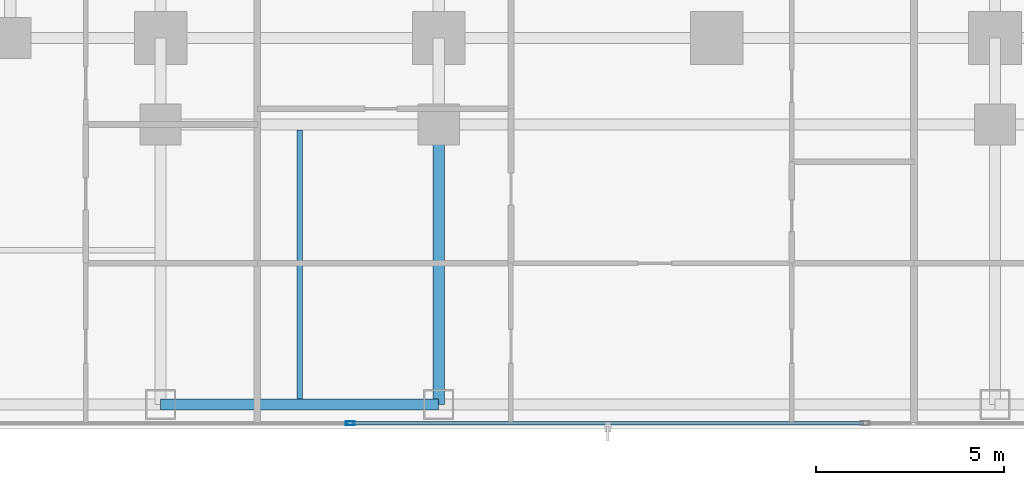
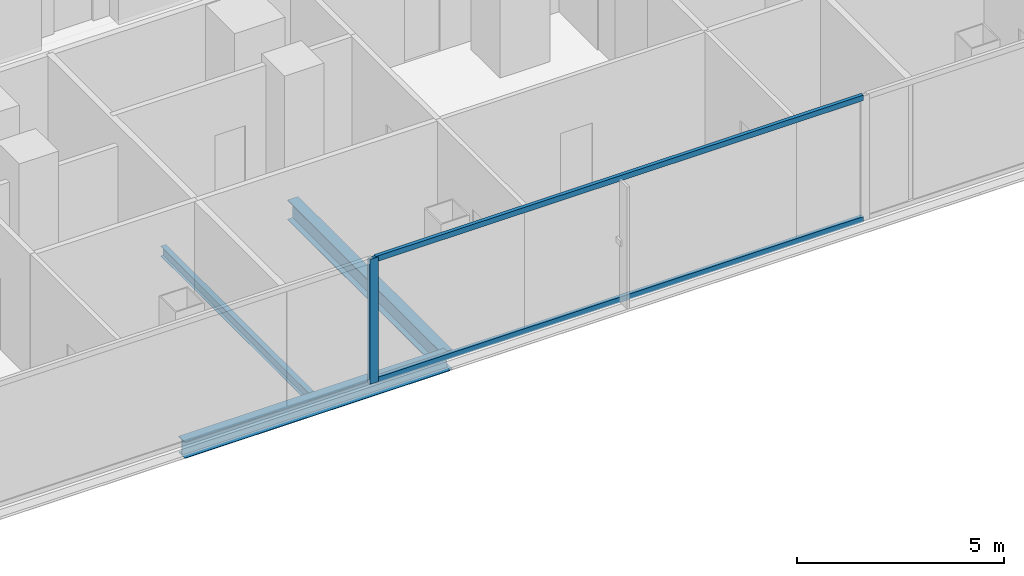
# One storey, part 4 of 30: 3 beams, 3 members, 1 element without a shape of its own.
"""IFC4 building model written with IfcOpenShell, lengths in metres."""

from ifc_helpers import new_model, si_unit, direction, frame, origin, origin_2d, place, context, subcontext, project, spatial, hollow_rectangle, i_section, extrude, material, layer, layer_set, material_profile, profile_set, type_object, element, aggregate, save


model = new_model("IFC4")

# Units and contexts
model_context = context("Model", 3, precision=1e-05, world=origin(), true_north=direction((0.0, 1.0)))
body_context = subcontext(model_context, "Body", "Model", "MODEL_VIEW")
ifc_project = project(units=[si_unit("LENGTHUNIT", "METRE"), si_unit("AREAUNIT", "SQUARE_METRE"), si_unit("VOLUMEUNIT", "CUBIC_METRE"), si_unit("PLANEANGLEUNIT", "RADIAN"), si_unit("MASSUNIT", "GRAM", prefix="KILO")], contexts=[model_context])

# Site, building, storey
site_placement = place(None, origin())
site = spatial("IfcSite", under=ifc_project, at=site_placement, CompositionType="ELEMENT")
building_placement = place(site_placement, origin())
building = spatial("IfcBuilding", under=site, at=building_placement, Name="Khorvyn Point Tower", CompositionType="ELEMENT")
storey_placement = place(building_placement, frame((0.0, 0.0, 57.89990234375)))
storey = spatial("IfcBuildingStorey", under=building, at=storey_placement, Name="L15", CompositionType="ELEMENT", Elevation=57.89990234375)

# Curtain wall, members
ifc_material_1 = material(Name="Anodised aluminium 6063-T6 and laminated Low-E glass", Category="aluminium")
ifc_layer = layer(ifc_material_1, 0.18994140625)
ifc_layer_set = layer_set([ifc_layer], Name="Stick-Built Finned Residential Curtain Wall CW-SYS-02")
curtain_wall_type = type_object("IfcCurtainWallType", Name="Stick-Built Finned Residential Curtain Wall CW-SYS-02", PredefinedType="NOTDEFINED", material=ifc_layer_set)
curtain_wall_placement = place(storey_placement, origin())
curtain_wall = element("IfcCurtainWall", 1, at=curtain_wall_placement, inside=storey, type_object=curtain_wall_type, Name="Curtain Wall", PredefinedType="NOTDEFINED")
ifc_material_2 = material(Name="Anodised aluminium 6063-T6", Category="aluminium")
ifc_material_profile_1 = material_profile(ifc_material_2, hollow_rectangle(XDim=0.10009765625, YDim=0.239990234375, WallThickness=0.0048828125, at=origin_2d()))
ifc_profile_set_1 = profile_set([ifc_material_profile_1], Name="Anodised aluminium 6063-T6 ALU-MUL-100x240")
member_type_1 = type_object("IfcMemberType", Name="Anodised Aluminium 6063-T6 Mullion ALU-MUL-100x240", PredefinedType="MULLION", material=ifc_profile_set_1)
member_1_placement = place(storey_placement, frame((-9.75, -25.050048828125, 0.0), z_axis=(0.0, 0.0, 1.0), x_axis=(0.0, -1.0, 0.0)))
member_1 = element("IfcMember", 2, at=member_1_placement, type_object=member_type_1, Name="Transom", PredefinedType="MULLION", context=body_context, shape_type="SweptSolid", body=[
    extrude(hollow_rectangle(XDim=0.10009765625, YDim=0.239990234375, WallThickness=0.0048828125, at=origin_2d()), origin(), (0.0, 0.0, 1.0), 3.68017578125),
])
ifc_material_profile_2 = material_profile(ifc_material_2, hollow_rectangle(XDim=0.10009765625, YDim=0.159912109375, WallThickness=0.00439453125, at=origin_2d()))
ifc_profile_set_2 = profile_set([ifc_material_profile_2], Name="Anodised aluminium 6063-T6 ALU-TRN-100x160")
member_type_2 = type_object("IfcMemberType", Name="Anodised Aluminium 6063-T6 Transom ALU-TRN-100x160", PredefinedType="USERDEFINED", material=ifc_profile_set_2)
member_2_placement = place(storey_placement, frame((3.89990234375, -25.050048828125, 0.050048828125), z_axis=(-1.0, 0.0, 0.0), x_axis=(0.0, -1.0, 0.0)))
member_2 = element("IfcMember", 3, at=member_2_placement, type_object=member_type_2, Name="Transom", ObjectType="TRANSOM", PredefinedType="USERDEFINED", context=body_context, shape_type="SweptSolid", body=[
    extrude(hollow_rectangle(XDim=0.10009765625, YDim=0.159912109375, WallThickness=0.00439453125, at=origin_2d()), origin(), (0.0, 0.0, 1.0), 13.599853515625),
])
member_3_placement = place(storey_placement, frame((3.89990234375, -25.050048828125, 3.630126953125), z_axis=(-1.0, 0.0, 0.0), x_axis=(0.0, -1.0, 0.0)))
member_3 = element("IfcMember", 4, at=member_3_placement, type_object=member_type_2, Name="Transom", ObjectType="TRANSOM", PredefinedType="USERDEFINED", context=body_context, shape_type="SweptSolid", body=[
    extrude(hollow_rectangle(XDim=0.10009765625, YDim=0.159912109375, WallThickness=0.00439453125, at=origin_2d()), origin(), (0.0, 0.0, 1.0), 13.599853515625),
])
aggregate(curtain_wall, [member_1, member_2, member_3])

# Beams
ifc_material_3 = material(Name="Steel S355", Category="steel")
ifc_material_profile_3 = material_profile(ifc_material_3, i_section(OverallWidth=0.300048828125, OverallDepth=0.587890625, WebThickness=0.011962890625, FlangeThickness=0.02001953125, at=origin_2d()))
ifc_profile_set_3 = profile_set([ifc_material_profile_3], Name="Steel S355 H588x300x12x20")
beam_type_1 = type_object("IfcBeamType", Name="Steel S355 Beam H588x300x12x20", PredefinedType="BEAM", material=ifc_profile_set_3)
beam_1_placement = place(storey_placement, frame((-7.39990234375, -24.550048828125, -0.513916015625), z_axis=(0.0, 1.0, 0.0), x_axis=(-1.0, 0.0, 0.0)))
element("IfcBeam", 5, at=beam_1_placement, inside=storey, type_object=beam_type_1, Name="Beam", PredefinedType="BEAM", context=body_context, shape_type="SweptSolid", body=[
    extrude(i_section(OverallWidth=0.300048828125, OverallDepth=0.587890625, WebThickness=0.011962890625, FlangeThickness=0.02001953125, at=origin_2d()), origin(), (0.0, 0.0, 1.0), 7.449951171875),
])
ifc_material_profile_4 = material_profile(ifc_material_3, i_section(OverallWidth=0.14990234375, OverallDepth=0.300048828125, WebThickness=0.006591796875, FlangeThickness=0.009033203125, at=origin_2d()))
ifc_profile_set_4 = profile_set([ifc_material_profile_4], Name="Steel S355 H300x150x6.5x9")
beam_type_2 = type_object("IfcBeamType", Name="Steel S355 Joist H300x150x6.5x9", PredefinedType="JOIST", material=ifc_profile_set_4)
beam_2_placement = place(storey_placement, frame((-11.10009765625, -24.39990234375, -0.369873046875), z_axis=(0.0, 1.0, 0.0), x_axis=(-1.0, 0.0, 0.0)))
element("IfcBeam", 6, at=beam_2_placement, inside=storey, type_object=beam_type_2, Name="Beam", PredefinedType="JOIST", context=body_context, shape_type="SweptSolid", body=[
    extrude(i_section(OverallWidth=0.14990234375, OverallDepth=0.300048828125, WebThickness=0.006591796875, FlangeThickness=0.009033203125, at=origin_2d()), origin(), (0.0, 0.0, 1.0), 7.14990234375),
])
ifc_material_profile_5 = material_profile(ifc_material_3, i_section(OverallWidth=0.300048828125, OverallDepth=0.488037109375, WebThickness=0.010986328125, FlangeThickness=0.01806640625, at=origin_2d()))
ifc_profile_set_5 = profile_set([ifc_material_profile_5], Name="Steel S355 H488x300x11x18")
beam_type_3 = type_object("IfcBeamType", Name="Steel S355 Spandrel H488x300x11x18", PredefinedType="SPANDREL", material=ifc_profile_set_5)
beam_3_placement = place(storey_placement, frame((-14.800048828125, -24.550048828125, -0.4638671875), z_axis=(1.0, 0.0, 0.0), x_axis=(0.0, 1.0, 0.0)))
element("IfcBeam", 7, at=beam_3_placement, inside=storey, type_object=beam_type_3, Name="Beam", PredefinedType="SPANDREL", context=body_context, shape_type="SweptSolid", body=[
    extrude(i_section(OverallWidth=0.300048828125, OverallDepth=0.488037109375, WebThickness=0.010986328125, FlangeThickness=0.01806640625, at=origin_2d()), origin(), (0.0, 0.0, 1.0), 7.400146484375),
])

save(model, "model.ifc")
